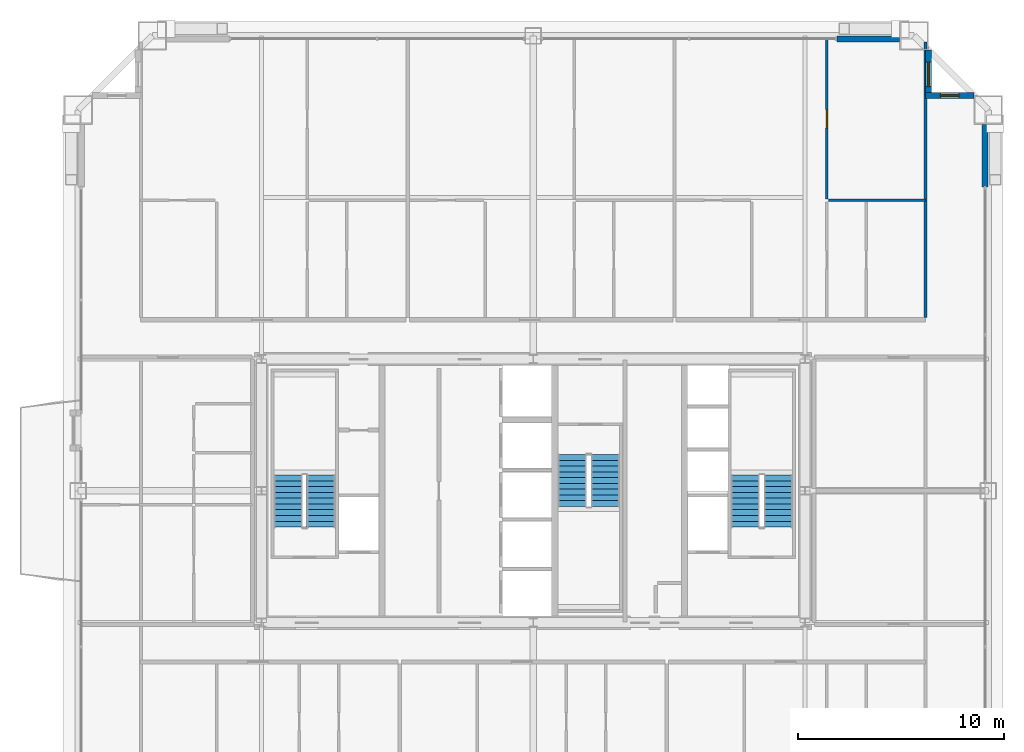
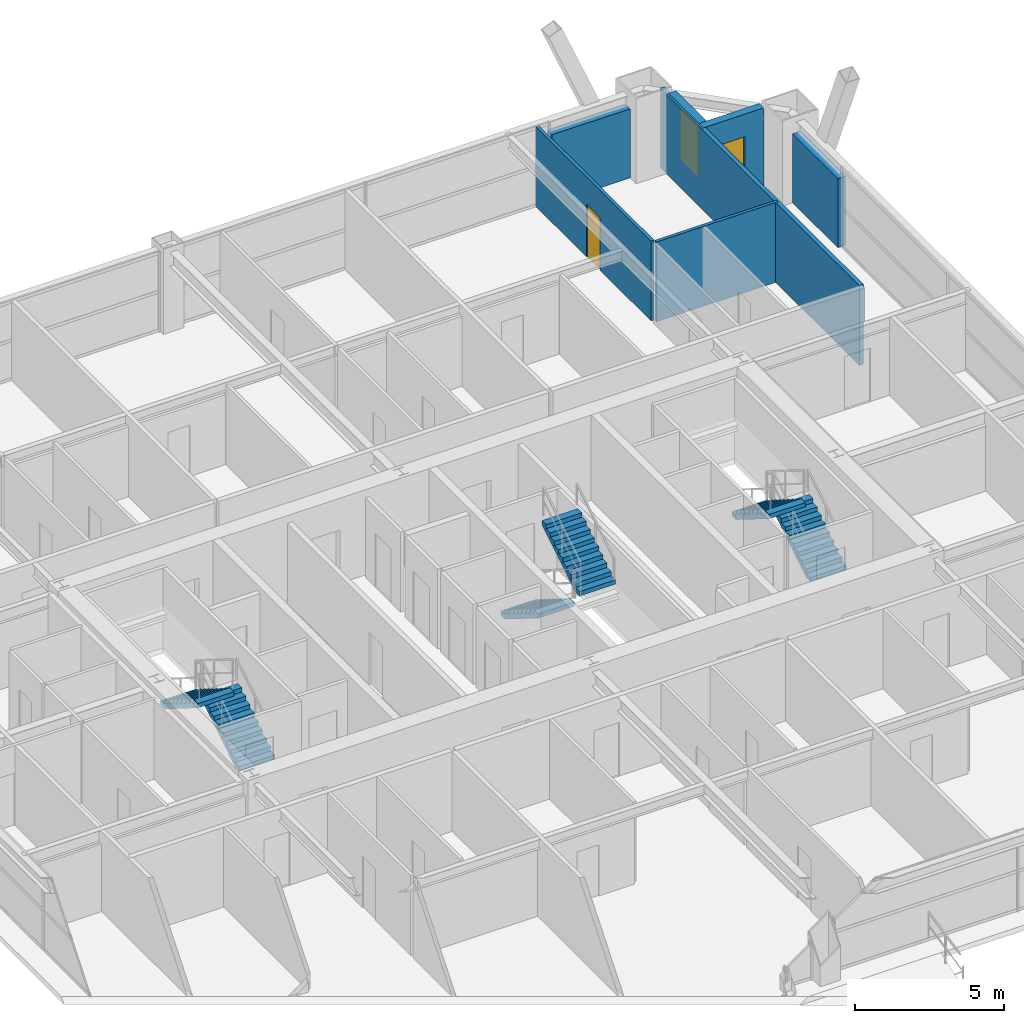
# One storey, part 41 of 42: 7 walls, 6 stair flights, 2 windows, 1 door, 3 openings, 3 elements without a shape of their own.
"""IFC4 building model written with IfcOpenShell, lengths in metres."""

from ifc_helpers import new_model, si_unit, direction, frame, frame_2d, origin, place, context, subcontext, project, spatial, polyline, rectangle, outline, extrude, source, transform, mapped, material, layer, layer_set, type_object, element, fill, aggregate, save


model = new_model("IFC4")

# Units and contexts
model_context = context("Model", 3, precision=1e-05, world=origin(), true_north=direction((0.0, 1.0)))
body_context = subcontext(model_context, "Body", "Model", "MODEL_VIEW")
ifc_project = project(units=[si_unit("LENGTHUNIT", "METRE"), si_unit("AREAUNIT", "SQUARE_METRE"), si_unit("VOLUMEUNIT", "CUBIC_METRE"), si_unit("PLANEANGLEUNIT", "RADIAN"), si_unit("MASSUNIT", "GRAM", prefix="KILO"), si_unit("THERMODYNAMICTEMPERATUREUNIT", "KELVIN"), si_unit("POWERUNIT", "WATT")], contexts=[model_context])

# Site, building, storey
site_placement = place(None, origin())
site = spatial("IfcSite", under=ifc_project, at=site_placement, CompositionType="ELEMENT")
building_placement = place(site_placement, origin())
building = spatial("IfcBuilding", under=site, at=building_placement, Name="Yuzanri Waterfront Tower", CompositionType="ELEMENT")
storey_placement = place(building_placement, frame((0.0, 0.0, 205.5)))
storey = spatial("IfcBuildingStorey", under=building, at=storey_placement, Name="L54", CompositionType="ELEMENT", Elevation=205.5)

# Wall, opening, door
ifc_material_1 = material(Name="Moisture-Resistant Gypsum Stud Wall", Category="gypsum")
ifc_layer_1 = layer(ifc_material_1, 0.1201171875)
ifc_layer_set_1 = layer_set([ifc_layer_1], Name="Moisture-Resistant Gypsum Stud Wall")
wall_type_1 = type_object("IfcWallType", Name="Bathroom and Kitchen Wet Partition 120", PredefinedType="PARTITIONING", material=ifc_layer_set_1)
wall_1_placement = place(storey_placement, frame((51.26806640625, 39.97998046875, 0.0), z_axis=(0.0, 0.0, 1.0), x_axis=(0.0, 1.0, 0.0)))
wall_1 = element("IfcWall", 1, at=wall_1_placement, inside=storey, type_object=wall_type_1, Name="L54 Partition UW-L54-RN3-SUB-3-W", PredefinedType="PARTITIONING", context=body_context, shape_type="SweptSolid", body=[
    extrude(rectangle(XDim=7.77001953125, YDim=0.1201171875, at=frame_2d((3.885009765625, 0.0))), origin(), (0.0, 0.0, 1.0), 3.280029296875),
])
opening_1_placement = place(wall_1_placement, frame((3.43505859375, 0.0, 0.0)))
opening_1 = element("IfcOpeningElement", 2, at=opening_1_placement, cuts=wall_1, Name="Opening ID-0900", PredefinedType="OPENING", context=body_context, shape_type="SweptSolid", body=[
    extrude(rectangle(XDim=0.89990234375, YDim=2.14990234375, at=frame_2d((0.449951171875, 1.074951171875))), frame((0.0, 0.074951171875, 0.0), z_axis=(0.0, -1.0, 0.0), x_axis=(1.0, 0.0, 0.0)), (0.0, 0.0, 1.0), 0.14990234375),
])
ifc_material_2 = material(Name="Stained Walnut Veneer Timber", Category="wood")
door_type = type_object("IfcDoorType", Name="Bedroom and Study Interior Swing Door 900x2150", OperationType="NOTDEFINED", PredefinedType="DOOR", material=ifc_material_2)
shared_shape_1 = source(origin(), body_context, "Body", "SweptSolid", [
    extrude(rectangle(XDim=0.89990234375, YDim=2.14990234375, at=frame_2d((0.449951171875, 1.074951171875))), frame((0.0, 0.02490234375, 0.0), z_axis=(0.0, -1.0, 0.0), x_axis=(1.0, 0.0, 0.0)), (0.0, 0.0, 1.0), 0.050048828125),
])
door_placement = place(opening_1_placement, origin())
door = element("IfcDoor", 3, at=door_placement, inside=storey, type_object=door_type, Name="L54 Suite Interior Room Door", OperationType="SINGLE_SWING_RIGHT", OverallHeight=2.14990234375, OverallWidth=0.89990234375, PredefinedType="DOOR", context=body_context, shape_type="MappedRepresentation", body=[
    mapped(shared_shape_1, transform((0.0, 0.0, 0.0), scale=1.0)),
])
fill(opening_1, door)

# Wall, opening, window
ifc_material_3 = material(Name="Honed Chongqing Dark Basalt Stone", Category="masonry")
ifc_layer_2 = layer(ifc_material_3, 0.300048828125)
ifc_layer_set_2 = layer_set([ifc_layer_2], Name="Honed Chongqing Dark Basalt Stone")
wall_type_2 = type_object("IfcWallType", Name="Bronze Rainscreen Insulated Spandrel Portal Wall 300", PredefinedType="SOLIDWALL", material=ifc_layer_set_2)
wall_2_placement = place(storey_placement, frame((58.39990234375, 45.0, 0.0), z_axis=(0.0, 0.0, 1.0), x_axis=(-1.0, 0.0, 0.0)))
wall_2 = element("IfcWall", 4, at=wall_2_placement, inside=storey, type_object=wall_type_2, Name="L54 Notched Corner Masonry Wall NE-X", PredefinedType="SOLIDWALL", context=body_context, shape_type="SweptSolid", body=[
    extrude(rectangle(XDim=2.349853515625, YDim=0.300048828125, at=frame_2d((1.1748046875, 0.0))), origin(), (0.0, 0.0, 1.0), 3.280029296875),
])
opening_2_placement = place(wall_2_placement, frame((0.72509765625, 0.0, 0.85009765625)))
opening_2 = element("IfcOpeningElement", 5, at=opening_2_placement, cuts=wall_2, Name="Opening WN-05", PredefinedType="OPENING", context=body_context, shape_type="SweptSolid", body=[
    extrude(rectangle(XDim=0.89990234375, YDim=1.5, at=frame_2d((0.449951171875, 0.75))), frame((0.0, 0.1650390625, 0.0), z_axis=(0.0, -1.0, 0.0), x_axis=(1.0, 0.0, 0.0)), (0.0, 0.0, 1.0), 0.329833984375),
])
ifc_material_4 = material(Name="Double-Silver Low-E Insulated Glass", Category="glass")
window_type_1 = type_object("IfcWindowType", Name="Anodized Bronze Service and Stairwell Smoke-Vent Window 900x1500", PartitioningType="SINGLE_PANEL", PredefinedType="WINDOW", material=ifc_material_4)
shared_shape_2 = source(origin(), body_context, "Body", "SweptSolid", [
    extrude(rectangle(XDim=0.89990234375, YDim=1.5, at=frame_2d((0.449951171875, 0.75))), frame((0.0, 0.030029296875, 0.0), z_axis=(0.0, -1.0, 0.0), x_axis=(1.0, 0.0, 0.0)), (0.0, 0.0, 1.0), 0.06005859375),
])
window_1_placement = place(opening_2_placement, origin())
window_1 = element("IfcWindow", 6, at=window_1_placement, inside=storey, type_object=window_type_1, Name="L54 Notched Corner Window NE-X", OverallHeight=1.5, OverallWidth=0.89990234375, PartitioningType="SINGLE_PANEL", PredefinedType="WINDOW", context=body_context, shape_type="MappedRepresentation", body=[
    mapped(shared_shape_2, transform((0.0, 0.0, 0.0), scale=1.0)),
])
fill(opening_2, window_1)

wall_3_placement = place(storey_placement, frame((56.199951171875, 44.85009765625, 0.0), z_axis=(0.0, 0.0, 1.0), x_axis=(0.0, 1.0, 0.0)))
wall_3 = element("IfcWall", 7, at=wall_3_placement, inside=storey, type_object=wall_type_2, Name="L54 Notched Corner Masonry Wall NE-Y", PredefinedType="SOLIDWALL", context=body_context, shape_type="SweptSolid", body=[
    extrude(rectangle(XDim=2.349853515625, YDim=0.300048828125, at=frame_2d((1.1748046875, 0.0))), origin(), (0.0, 0.0, 1.0), 3.280029296875),
])
opening_3_placement = place(wall_3_placement, frame((0.574951171875, 0.0, 0.85009765625)))
opening_3 = element("IfcOpeningElement", 8, at=opening_3_placement, cuts=wall_3, Name="Opening WN-02", PredefinedType="OPENING", context=body_context, shape_type="SweptSolid", body=[
    extrude(rectangle(XDim=1.199951171875, YDim=2.10009765625, at=frame_2d((0.60009765625, 1.050048828125))), frame((0.0, 0.1650390625, 0.0), z_axis=(0.0, -1.0, 0.0), x_axis=(1.0, 0.0, 0.0)), (0.0, 0.0, 1.0), 0.329833984375),
])
ifc_material_5 = material(Name="Double-Silver Low-E Insulated Glass", Category="glass")
window_type_2 = type_object("IfcWindowType", Name="Anodized Bronze Notched Corner Deep-Set Slot Window 1200x2100", PartitioningType="SINGLE_PANEL", PredefinedType="WINDOW", material=ifc_material_5)
shared_shape_3 = source(origin(), body_context, "Body", "SweptSolid", [
    extrude(rectangle(XDim=1.199951171875, YDim=2.10009765625, at=frame_2d((0.60009765625, 1.050048828125))), frame((0.0, 0.030029296875, 0.0), z_axis=(0.0, -1.0, 0.0), x_axis=(1.0, 0.0, 0.0)), (0.0, 0.0, 1.0), 0.06005859375),
])
window_2_placement = place(opening_3_placement, origin())
window_2 = element("IfcWindow", 9, at=window_2_placement, inside=storey, type_object=window_type_2, Name="L54 Notched Corner Window NE-Y", OverallHeight=2.10009765625, OverallWidth=1.199951171875, PartitioningType="SINGLE_PANEL", PredefinedType="WINDOW", context=body_context, shape_type="MappedRepresentation", body=[
    mapped(shared_shape_3, transform((0.0, 0.0, 0.0), scale=1.0)),
])
fill(opening_3, window_2)

# Walls
shared_shape_4 = source(origin(), body_context, "Body", "SweptSolid", [
    extrude(rectangle(XDim=3.050048828125, YDim=0.300048828125, at=frame_2d((1.52490234375, 0.0))), origin(), (0.0, 0.0, 1.0), 2.8349609375),
])
for number, where, z_axis, x_axis, name in (
    (10, (51.75, 47.75, 0.0), (0.0, 0.0, 1.0), (1.0, 0.0, 0.0), "L54 N Right Braced Masonry Shoulder"),
    (11, (58.949951171875, 40.550048828125, 0.0), (0.0, 0.0, 1.0), (0.0, 1.0, 0.0), "L54 E Right Braced Masonry Shoulder"),
):
    element("IfcWall", number, at=place(storey_placement, frame(where, z_axis=z_axis, x_axis=x_axis)), inside=storey, type_object=wall_type_2, Name=name, PredefinedType="SOLIDWALL", context=body_context, shape_type="MappedRepresentation", body=[
        mapped(shared_shape_4, transform((0.0, 0.0, 0.0), scale=1.0)),
    ])
ifc_material_6 = material(Name="Gypsum Fireboard Acoustic Stud Wall", Category="gypsum")
ifc_layer_3 = layer(ifc_material_6, 0.159912109375)
ifc_layer_set_3 = layer_set([ifc_layer_3], Name="Gypsum Fireboard Acoustic Stud Wall")
wall_type_3 = type_object("IfcWallType", Name="Acoustic Suite Demising Partition 160", PredefinedType="PARTITIONING", material=ifc_layer_set_3)
shared_shape_5 = source(origin(), body_context, "Body", "SweptSolid", [
    extrude(rectangle(XDim=13.39013671875, YDim=0.159912109375, at=frame_2d((6.695068359375, 0.0))), origin(), (0.0, 0.0, 1.0), 3.280029296875),
])
wall_4_placement = place(storey_placement, frame((56.050048828125, 34.2099609375, 0.0), z_axis=(0.0, 0.0, 1.0), x_axis=(0.0, 1.0, 0.0)))
element("IfcWall", 12, at=wall_4_placement, inside=storey, type_object=wall_type_3, Name="L54 North Band East End Wall", PredefinedType="PARTITIONING", context=body_context, shape_type="MappedRepresentation", body=[
    mapped(shared_shape_5, transform((0.0, 0.0, 0.0), scale=1.0)),
])
shared_shape_6 = source(origin(), body_context, "Body", "SweptSolid", [
    extrude(rectangle(XDim=4.712158203125, YDim=0.1201171875, at=frame_2d((2.35595703125, 0.0))), origin(), (0.0, 0.0, 1.0), 3.280029296875),
])
wall_5_placement = place(storey_placement, frame((51.347900390625, 39.89990234375, 0.0), z_axis=(0.0, 0.0, 1.0), x_axis=(1.0, 0.0, 0.0)))
element("IfcWall", 13, at=wall_5_placement, inside=storey, type_object=wall_type_1, Name="L54 Partition UW-L54-RN3-SUB-3-S", PredefinedType="PARTITIONING", context=body_context, shape_type="MappedRepresentation", body=[
    mapped(shared_shape_6, transform((0.0, 0.0, 0.0), scale=1.0)),
])

# Stair, stair flights
ifc_material_7 = material(Name="Concrete C40", Category="concrete")
stair_type = type_object("IfcStairType", Name="Concrete C40 Core Dogleg Exit Stair", PredefinedType="HALF_TURN_STAIR", material=ifc_material_7)
stair_1_placement = place(storey_placement, origin())
stair_1 = element("IfcStair", 14, at=stair_1_placement, inside=storey, type_object=stair_type, Name="L54 Smoke-Proof Core Stair ST-01", PredefinedType="HALF_TURN_STAIR")
ifc_material_8 = material(Name="Concrete C40", Category="concrete")
stair_flight_type = type_object("IfcStairFlightType", Name="Concrete C40 Precast Stair Flight 1380", PredefinedType="STRAIGHT", material=ifc_material_8)
shared_shape_7 = source(origin(), body_context, "Body", "SweptSolid", [
    extrude(outline(polyline([(0.0, 0.0), (0.0, 0.175048828125), (0.280029296875, 0.175048828125), (0.280029296875, 0.35009765625), (0.56005859375, 0.35009765625), (0.56005859375, 0.52490234375), (0.840087890625, 0.52490234375), (0.840087890625, 0.699951171875), (1.1201171875, 0.699951171875), (1.1201171875, 0.875), (1.39990234375, 0.875), (1.39990234375, 1.050048828125), (1.679931640625, 1.050048828125), (1.679931640625, 1.22509765625), (1.9599609375, 1.22509765625), (1.9599609375, 1.39990234375), (2.239990234375, 1.39990234375), (2.239990234375, 1.574951171875), (2.52001953125, 1.574951171875), (2.52001953125, 1.75), (2.52001953125, 1.398193359375), (0.28271484375, 0.0), (0.0, 0.0)])), frame((0.0, 0.699951171875, 0.0), z_axis=(0.0, -1.0, 0.0), x_axis=(1.0, 0.0, 0.0)), (0.0, 0.0, 1.0), 1.39990234375),
])
stair_flight_1_placement = place(storey_placement, frame((26.699951171875, 24.0400390625, 0.0), z_axis=(0.0, 0.0, 1.0), x_axis=(0.0, 1.0, 0.0)))
stair_flight_1 = element("IfcStairFlight", 15, at=stair_flight_1_placement, type_object=stair_flight_type, Name="ST-01 flight 1", NumberOfRisers=10, NumberOfTreads=9, PredefinedType="STRAIGHT", RiserHeight=0.175, TreadLength=0.28, context=body_context, shape_type="MappedRepresentation", body=[
    mapped(shared_shape_7, transform((0.0, 0.0, 0.0), scale=1.0)),
])
stair_flight_2_placement = place(storey_placement, frame((25.10009765625, 26.56005859375, 1.75), z_axis=(0.0, 0.0, 1.0), x_axis=(0.0, -1.0, 0.0)))
stair_flight_2 = element("IfcStairFlight", 16, at=stair_flight_2_placement, type_object=stair_flight_type, Name="ST-01 flight 2", NumberOfRisers=10, NumberOfTreads=9, PredefinedType="STRAIGHT", RiserHeight=0.175, TreadLength=0.28, context=body_context, shape_type="MappedRepresentation", body=[
    mapped(shared_shape_7, transform((0.0, 0.0, 0.0), scale=1.0)),
])
aggregate(stair_1, [stair_flight_1, stair_flight_2])

stair_2_placement = place(storey_placement, origin())
stair_2 = element("IfcStair", 17, at=stair_2_placement, inside=storey, type_object=stair_type, Name="L54 Smoke-Proof Core Stair ST-02", PredefinedType="HALF_TURN_STAIR")
stair_flight_3_placement = place(storey_placement, frame((48.89990234375, 24.0400390625, 0.0), z_axis=(0.0, 0.0, 1.0), x_axis=(0.0, 1.0, 0.0)))
stair_flight_3 = element("IfcStairFlight", 18, at=stair_flight_3_placement, type_object=stair_flight_type, Name="ST-02 flight 1", NumberOfRisers=10, NumberOfTreads=9, PredefinedType="STRAIGHT", RiserHeight=0.175, TreadLength=0.28, context=body_context, shape_type="MappedRepresentation", body=[
    mapped(shared_shape_7, transform((0.0, 0.0, 0.0), scale=1.0)),
])
stair_flight_4_placement = place(storey_placement, frame((47.300048828125, 26.56005859375, 1.75), z_axis=(0.0, 0.0, 1.0), x_axis=(0.0, -1.0, 0.0)))
stair_flight_4 = element("IfcStairFlight", 19, at=stair_flight_4_placement, type_object=stair_flight_type, Name="ST-02 flight 2", NumberOfRisers=10, NumberOfTreads=9, PredefinedType="STRAIGHT", RiserHeight=0.175, TreadLength=0.28, context=body_context, shape_type="MappedRepresentation", body=[
    mapped(shared_shape_7, transform((0.0, 0.0, 0.0), scale=1.0)),
])
aggregate(stair_2, [stair_flight_3, stair_flight_4])

stair_3_placement = place(storey_placement, origin())
stair_3 = element("IfcStair", 20, at=stair_3_placement, inside=storey, type_object=stair_type, Name="L54 Smoke-Proof Core Stair ST-03", PredefinedType="HALF_TURN_STAIR")
stair_flight_5_placement = place(storey_placement, frame((38.89990234375, 27.56005859375, 0.0), z_axis=(0.0, 0.0, 1.0), x_axis=(0.0, -1.0, 0.0)))
stair_flight_5 = element("IfcStairFlight", 21, at=stair_flight_5_placement, type_object=stair_flight_type, Name="ST-03 flight 1", NumberOfRisers=10, NumberOfTreads=9, PredefinedType="STRAIGHT", RiserHeight=0.175, TreadLength=0.28, context=body_context, shape_type="MappedRepresentation", body=[
    mapped(shared_shape_7, transform((0.0, 0.0, 0.0), scale=1.0)),
])
stair_flight_6_placement = place(storey_placement, frame((40.5, 25.0400390625, 1.75), z_axis=(0.0, 0.0, 1.0), x_axis=(0.0, 1.0, 0.0)))
stair_flight_6 = element("IfcStairFlight", 22, at=stair_flight_6_placement, type_object=stair_flight_type, Name="ST-03 flight 2", NumberOfRisers=10, NumberOfTreads=9, PredefinedType="STRAIGHT", RiserHeight=0.175, TreadLength=0.28, context=body_context, shape_type="MappedRepresentation", body=[
    mapped(shared_shape_7, transform((0.0, 0.0, 0.0), scale=1.0)),
])
aggregate(stair_3, [stair_flight_5, stair_flight_6])

save(model, "model.ifc")
